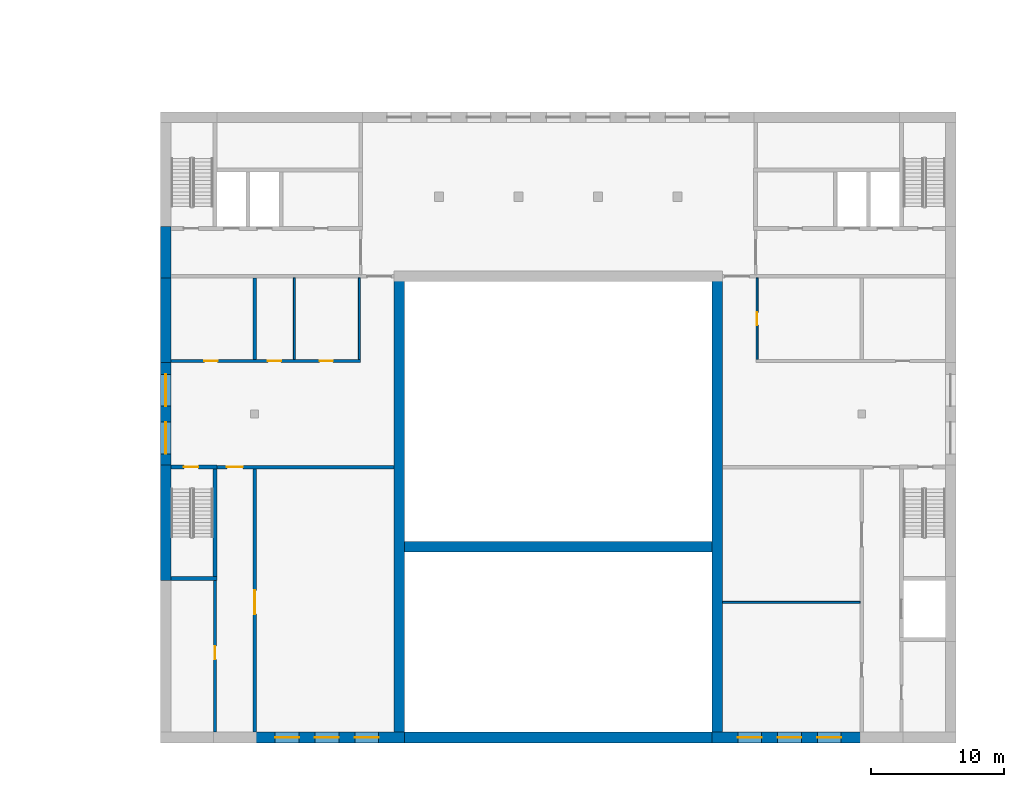
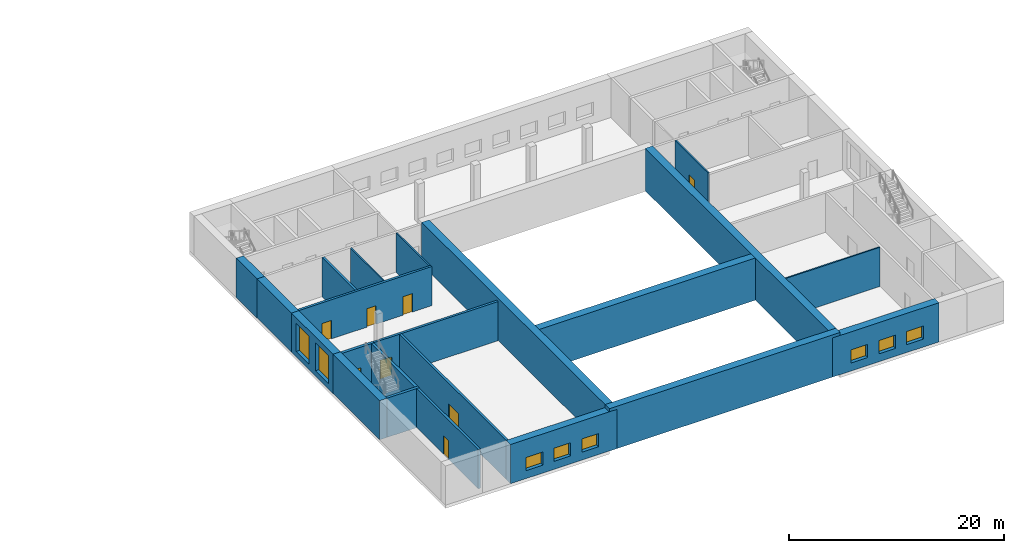
# One storey, part 3 of 23: 22 walls, 8 doors, 8 windows, 16 openings.
"""IFC4 building model written with IfcOpenShell, lengths in metres."""

import ifcopenshell
import ifcopenshell.guid

model = None  # the IFC model being written
_history = None  # IfcOwnerHistory: only IFC2X3 demands one
_inside = {}  # id of a spatial element -> (the spatial element, [elements in it])
_under = {}  # id of a project, library or spatial element -> (it, [spatial elements below it])
_declared = {}  # id of a project -> (the project, [libraries it declares])
_typed = {}  # id of a type object -> (the type object, [elements of that type])
_made_of = {}  # id of a material, layer set ... -> (it, [elements and type objects made of it])


def new_model(schema):
    """Start an empty IFC model of exactly this schema.

    Asked for "IFC4X3", IfcOpenShell would pick the latest addendum, in which some entities
    have other attributes; the version numbers below select the first issue.
    IFC2X3 requires an IfcOwnerHistory on every rooted entity: one is made here for all.
    """
    global model, _history
    if schema == "IFC4X3":
        model = ifcopenshell.file(schema_version=(4, 3, 0, 0))
    else:
        model = ifcopenshell.file(schema=schema)
    _inside.clear()
    _under.clear()
    _declared.clear()
    _typed.clear()
    _made_of.clear()
    _history = None
    if model.schema == "IFC2X3":
        org = make("IfcOrganization", Name="unknown")
        user = make(
            "IfcPersonAndOrganization",
            ThePerson=make("IfcPerson", FamilyName="unknown"),
            TheOrganization=org,
        )
        app = make(
            "IfcApplication",
            ApplicationDeveloper=org,
            Version="unknown",
            ApplicationFullName="unknown",
            ApplicationIdentifier="unknown",
        )
        _history = make(
            "IfcOwnerHistory",
            OwningUser=user,
            OwningApplication=app,
            ChangeAction="ADDED",
            CreationDate=0,
        )
    return model


def make(cls, **values):
    """One entity of the class cls with the attributes given. An attribute that is None is left unset."""
    return model.create_entity(
        cls, **{name: value for name, value in values.items() if value is not None}
    )


def rooted(cls, **values):
    """An entity with a GlobalId (a new one), such as an element, a storey or a relation."""
    return make(cls, GlobalId=ifcopenshell.guid.new(), OwnerHistory=_history, **values)


def si_unit(unit_type, name, prefix=None):
    """IfcSIUnit, for example si_unit("LENGTHUNIT", "METRE", prefix="MILLI")."""
    return make("IfcSIUnit", UnitType=unit_type, Prefix=prefix, Name=name)


def assignment(units):
    """IfcUnitAssignment: the units of a project."""
    return None if units is None else make("IfcUnitAssignment", Units=units)


def point(xyz):
    """IfcCartesianPoint."""
    return None if xyz is None else make("IfcCartesianPoint", Coordinates=xyz)


def direction(xyz):
    """IfcDirection."""
    return None if xyz is None else make("IfcDirection", DirectionRatios=xyz)


def frame(location, z_axis=None, x_axis=None):
    """IfcAxis2Placement3D, a coordinate frame: its origin and axes. An axis left out is left unset."""
    return make(
        "IfcAxis2Placement3D",
        Location=point(location),
        Axis=direction(z_axis),
        RefDirection=direction(x_axis),
    )


def frame_2d(location, x_axis=None):
    """IfcAxis2Placement2D, a coordinate frame in the plane: its origin and x axis."""
    return make(
        "IfcAxis2Placement2D", Location=point(location), RefDirection=direction(x_axis)
    )


def origin():
    """The frame at (0, 0, 0) with its axes left unset."""
    return frame((0.0, 0.0, 0.0))


def place(relative_to, where):
    """IfcLocalPlacement: puts the frame where relative to a parent placement (None: the world)."""
    return make(
        "IfcLocalPlacement", PlacementRelTo=relative_to, RelativePlacement=where
    )


def context(
    kind, dimensions, precision=None, world=None, true_north=None, identifier=None
):
    """IfcGeometricRepresentationContext, for example the 3D "Model" context."""
    return make(
        "IfcGeometricRepresentationContext",
        ContextIdentifier=identifier,
        ContextType=kind,
        CoordinateSpaceDimension=dimensions,
        Precision=precision,
        WorldCoordinateSystem=world,
        TrueNorth=true_north,
    )


def subcontext(parent, identifier, kind, view, scale=None):
    """IfcGeometricRepresentationSubContext, for example "Body" below "Model"."""
    return make(
        "IfcGeometricRepresentationSubContext",
        ContextIdentifier=identifier,
        ContextType=kind,
        ParentContext=parent,
        TargetScale=scale,
        TargetView=view,
    )


def project(units=None, contexts=None):
    """IfcProject with its units and contexts."""
    return rooted(
        "IfcProject",
        Name="project",
        RepresentationContexts=contexts,
        UnitsInContext=assignment(units),
    )


def spatial(cls, under=None, at=None, **own):
    """A site, building, storey or space (cls), placed at a placement, below another one or the project."""
    s = rooted(cls, ObjectPlacement=at, **own)
    if under is not None:
        _under.setdefault(under.id(), (under, []))[1].append(s)
    return s


def profile(cls, at=None, kind="AREA", **sizes):
    """A parametric profile (cls). Its sizes go by their IFC names, for example OverallWidth=200.0."""
    return make(cls, ProfileType=kind, Position=at, **sizes)


def rectangle(**sizes):
    """IfcRectangleProfileDef."""
    return profile("IfcRectangleProfileDef", **sizes)


def extrude(swept, where, along, depth):
    """IfcExtrudedAreaSolid: the profile swept, set in the frame where, extruded along a direction by depth."""
    return make(
        "IfcExtrudedAreaSolid",
        SweptArea=swept,
        Position=where,
        ExtrudedDirection=direction(along),
        Depth=depth,
    )


def shape(context_of_items, identifier, shape_type, items):
    """IfcShapeRepresentation: the items that make up one representation, for example the "Body"."""
    return make(
        "IfcShapeRepresentation",
        ContextOfItems=context_of_items,
        RepresentationIdentifier=identifier,
        RepresentationType=shape_type,
        Items=items,
    )


def material(Name=None, Category=None):
    """IfcMaterial."""
    return make("IfcMaterial", Name=Name, Category=Category)


def layer(
    of_material, thickness, ventilated=None, Name=None, Category=None, Priority=None
):
    """IfcMaterialLayer: one layer of a wall or slab, of a material (None: an air gap)."""
    return make(
        "IfcMaterialLayer",
        Material=of_material,
        LayerThickness=thickness,
        IsVentilated=ventilated,
        Name=Name,
        Category=Category,
        Priority=Priority,
    )


def layer_set(layers, Name=None):
    """IfcMaterialLayerSet."""
    return make("IfcMaterialLayerSet", MaterialLayers=layers, LayerSetName=Name)


def made_of(thing, what):
    """Note that an element or type object is made of a material, layer set ...; save() writes the relation."""
    if what is not None:
        _made_of.setdefault(what.id(), (what, []))[1].append(thing)
    return thing


def type_object(cls, material=None, **own):
    """A type object (cls), such as IfcWallType, which elements share."""
    return made_of(rooted(cls, **own), material)


def element(
    cls,
    number,
    at=None,
    inside=None,
    cuts=None,
    type_object=None,
    material=None,
    context=None,
    identifier="Body",
    shape_type=None,
    held_by="IfcProductDefinitionShape",
    body=None,
    shapes=None,
    **own,
):
    """One element of the class cls, such as IfcWall. Its Tag is "e" and its number.

    at: its placement. inside: the storey or other place that contains it. cuts: it is an
    opening in that element (IfcRelVoidsElement). A single representation is given by context,
    identifier, shape_type and body (its items); several are given by shapes. held_by: the class
    of the entity that holds the representations. save() writes the other relations.
    """
    e = rooted(cls, Tag="e%d" % number, ObjectPlacement=at, **own)
    if body is not None:
        shapes = [shape(context, identifier, shape_type, body)]
    if shapes is not None:
        e.Representation = make(held_by, Representations=shapes)
    if inside is not None:
        _inside.setdefault(inside.id(), (inside, []))[1].append(e)
    if cuts is not None:
        rooted(
            "IfcRelVoidsElement", RelatingBuildingElement=cuts, RelatedOpeningElement=e
        )
    if type_object is not None:
        _typed.setdefault(type_object.id(), (type_object, []))[1].append(e)
    return made_of(e, material)


def fill(opening, filler):
    """IfcRelFillsElement: the door or window that sits in an opening."""
    return rooted(
        "IfcRelFillsElement",
        RelatingOpeningElement=opening,
        RelatedBuildingElement=filler,
    )


def aggregate(whole, parts):
    """IfcRelAggregates: a whole, such as a stair, and the parts it consists of."""
    return rooted("IfcRelAggregates", RelatingObject=whole, RelatedObjects=parts)


def save(model, path):
    """Write the relations noted so far, then the file.

    IfcRelAggregates (storeys below a building ...), IfcRelContainedInSpatialStructure (elements
    in a storey), IfcRelDefinesByType, IfcRelAssociatesMaterial and IfcRelDeclares: one each for
    every whole, place, type object, material and project.
    """
    for whole, parts in _under.values():
        aggregate(whole, parts)
    for where, things in _inside.values():
        rooted(
            "IfcRelContainedInSpatialStructure",
            RelatedElements=things,
            RelatingStructure=where,
        )
    for kind, things in _typed.values():
        rooted("IfcRelDefinesByType", RelatedObjects=things, RelatingType=kind)
    for what, things in _made_of.values():
        rooted("IfcRelAssociatesMaterial", RelatedObjects=things, RelatingMaterial=what)
    for by, libraries in _declared.values():
        rooted("IfcRelDeclares", RelatingContext=by, RelatedDefinitions=libraries)
    model.write(path)


model = new_model("IFC4")

# Units and contexts
model_context = context("Model", 3, precision=1e-05, world=origin(), true_north=direction((0.0, 1.0)))
body_context = subcontext(model_context, "Body", "Model", "MODEL_VIEW")
ifc_project = project(units=[si_unit("LENGTHUNIT", "METRE"), si_unit("AREAUNIT", "SQUARE_METRE"), si_unit("VOLUMEUNIT", "CUBIC_METRE"), si_unit("PLANEANGLEUNIT", "RADIAN"), si_unit("MASSUNIT", "GRAM", prefix="KILO")], contexts=[model_context])

# Site, building, storey
site_placement = place(None, origin())
site = spatial("IfcSite", under=ifc_project, at=site_placement, CompositionType="ELEMENT")
building_placement = place(site_placement, origin())
building = spatial("IfcBuilding", under=site, at=building_placement, Name="Kiln Ring Residences", CompositionType="ELEMENT")
storey_placement = place(building_placement, frame((0.0, 0.0, 16.10009765625)))
storey = spatial("IfcBuildingStorey", under=building, at=storey_placement, Name="L03", CompositionType="ELEMENT", Elevation=16.10009765625)

# Walls
ifc_material_1 = material(Name="Concrete C40/50", Category="concrete")
ifc_layer_1 = layer(ifc_material_1, 0.800048828125)
ifc_layer_set_1 = layer_set([ifc_layer_1], Name="Hall Board-marked concrete C40/50 hall wall 800")
wall_type_1 = type_object("IfcWallType", Name="Hall Board-marked concrete C40/50 hall wall 800", PredefinedType="SOLIDWALL", material=ifc_layer_set_1)
wall_1_placement = place(storey_placement, frame((-12.39990234375, -159.60009765625, 0.0), z_axis=(0.0, 0.0, 1.0), x_axis=(1.0, 0.0, 0.0)))
element("IfcWall", 1, at=wall_1_placement, inside=storey, type_object=wall_type_1, Name="Hall wall L03 4", PredefinedType="SOLIDWALL", context=body_context, shape_type="SweptSolid", body=[
    extrude(rectangle(XDim=24.7998046875, YDim=0.800048828125, at=frame_2d((12.39990234375, 0.0))), origin(), (0.0, 0.0, 1.0), 4.7998046875),
])
ifc_material_2 = material(Name="Concrete C40/50", Category="concrete")
ifc_layer_2 = layer(ifc_material_2, 0.800048828125)
ifc_layer_set_2 = layer_set([ifc_layer_2], Name="Hall Board-marked concrete C40/50 hall wall 800 internal")
wall_type_2 = type_object("IfcWallType", Name="Hall Board-marked concrete C40/50 hall wall 800 internal", PredefinedType="SOLIDWALL", material=ifc_layer_set_2)
wall_2_placement = place(storey_placement, frame((-11.60009765625, -145.199951171875, 0.0), z_axis=(0.0, 0.0, 1.0), x_axis=(1.0, 0.0, 0.0)))
element("IfcWall", 2, at=wall_2_placement, inside=storey, type_object=wall_type_2, Name="Hall wall L03 12", PredefinedType="SOLIDWALL", context=body_context, shape_type="SweptSolid", body=[
    extrude(rectangle(XDim=23.2001953125, YDim=0.800048828125, at=frame_2d((11.60009765625, 0.0))), origin(), (0.0, 0.0, 1.0), 4.7998046875),
])
for number, where, z_axis, x_axis, name in (
    (3, (-12.0, -159.199951171875, 0.0), (0.0, 0.0, 1.0), (0.0, 1.0, 0.0), "Hall wall L03 49"),
    (4, (12.0, -159.199951171875, 0.0), (0.0, 0.0, 1.0), (0.0, 1.0, 0.0), "Hall wall L03 50"),
):
    element("IfcWall", number, at=place(storey_placement, frame(where, z_axis=z_axis, x_axis=x_axis)), inside=storey, type_object=wall_type_2, Name=name, PredefinedType="SOLIDWALL", context=body_context, shape_type="SweptSolid", body=[
        extrude(rectangle(XDim=34.125, YDim=0.800048828125, at=frame_2d((17.0625, 0.0))), origin(), (0.0, 0.0, 1.0), 4.7998046875),
    ])

# Wall, openings, windows
ifc_material_3 = material(Name="Concrete C40/50", Category="concrete")
ifc_layer_3 = layer(ifc_material_3, 0.800048828125)
ifc_layer_set_3 = layer_set([ifc_layer_3], Name="Hall Exposed brick-faced reinforced concrete C40/50 wall 800")
wall_type_3 = type_object("IfcWallType", Name="Hall Exposed brick-faced reinforced concrete C40/50 wall 800", PredefinedType="SOLIDWALL", material=ifc_layer_set_3)
wall_3_placement = place(storey_placement, frame((-23.02490234375, -159.60009765625, 0.0), z_axis=(0.0, 0.0, 1.0), x_axis=(1.0, 0.0, 0.0)))
wall_3 = element("IfcWall", 5, at=wall_3_placement, inside=storey, type_object=wall_type_3, Name="Hall wall L03 3", PredefinedType="SOLIDWALL", context=body_context, shape_type="SweptSolid", body=[
    extrude(rectangle(XDim=11.4248046875, YDim=0.800048828125, at=frame_2d((5.71240234375, 0.0))), origin(), (0.0, 0.0, 1.0), 4.449951171875),
])
opening_1_placement = place(wall_3_placement, frame((1.6748046875, 0.0, 0.89990234375)))
opening_1 = element("IfcOpeningElement", 6, at=opening_1_placement, cuts=wall_3, Name="Opening WL03-14", PredefinedType="OPENING", context=body_context, shape_type="SweptSolid", body=[
    extrude(rectangle(XDim=1.800048828125, YDim=1.5, at=frame_2d((0.89990234375, 0.75))), frame((0.0, 0.409912109375, 0.0), z_axis=(0.0, -1.0, 0.0), x_axis=(1.0, 0.0, 0.0)), (0.0, 0.0, 1.0), 0.820068359375),
])
opening_2_placement = place(wall_3_placement, frame((4.6748046875, 0.0, 0.89990234375)))
opening_2 = element("IfcOpeningElement", 7, at=opening_2_placement, cuts=wall_3, Name="Opening WL03-15", PredefinedType="OPENING", context=body_context, shape_type="SweptSolid", body=[
    extrude(rectangle(XDim=1.800048828125, YDim=1.5, at=frame_2d((0.89990234375, 0.75))), frame((0.0, 0.409912109375, 0.0), z_axis=(0.0, -1.0, 0.0), x_axis=(1.0, 0.0, 0.0)), (0.0, 0.0, 1.0), 0.820068359375),
])
opening_3_placement = place(wall_3_placement, frame((7.6748046875, 0.0, 0.89990234375)))
opening_3 = element("IfcOpeningElement", 8, at=opening_3_placement, cuts=wall_3, Name="Opening WL03-16", PredefinedType="OPENING", context=body_context, shape_type="SweptSolid", body=[
    extrude(rectangle(XDim=1.800048828125, YDim=1.5, at=frame_2d((0.89990234375, 0.75))), frame((0.0, 0.409912109375, 0.0), z_axis=(0.0, -1.0, 0.0), x_axis=(1.0, 0.0, 0.0)), (0.0, 0.0, 1.0), 0.820068359375),
])
ifc_material_4 = material(Name="Glazing in aluminium frame", Category="aluminium")
window_type_1 = type_object("IfcWindowType", Name="Hall room window 1800 x 1500", PartitioningType="DOUBLE_PANEL_VERTICAL", PredefinedType="WINDOW", material=ifc_material_4)
window_1_placement = place(opening_1_placement, origin())
window_1 = element("IfcWindow", 9, at=window_1_placement, inside=storey, type_object=window_type_1, Name="Hall window L03-14", OverallHeight=1.5, OverallWidth=1.800048828125, PartitioningType="SINGLE_PANEL", PredefinedType="WINDOW", context=body_context, shape_type="SweptSolid", body=[
    extrude(rectangle(XDim=1.800048828125, YDim=1.5, at=frame_2d((0.89990234375, 0.75))), frame((0.0, 0.030029296875, 0.0), z_axis=(0.0, -1.0, 0.0), x_axis=(1.0, 0.0, 0.0)), (0.0, 0.0, 1.0), 0.06005859375),
])
fill(opening_1, window_1)
window_2_placement = place(opening_2_placement, origin())
window_2 = element("IfcWindow", 10, at=window_2_placement, inside=storey, type_object=window_type_1, Name="Hall window L03-15", OverallHeight=1.5, OverallWidth=1.800048828125, PartitioningType="SINGLE_PANEL", PredefinedType="WINDOW", context=body_context, shape_type="SweptSolid", body=[
    extrude(rectangle(XDim=1.800048828125, YDim=1.5, at=frame_2d((0.89990234375, 0.75))), frame((0.0, 0.030029296875, 0.0), z_axis=(0.0, -1.0, 0.0), x_axis=(1.0, 0.0, 0.0)), (0.0, 0.0, 1.0), 0.06005859375),
])
fill(opening_2, window_2)
window_3_placement = place(opening_3_placement, origin())
window_3 = element("IfcWindow", 11, at=window_3_placement, inside=storey, type_object=window_type_1, Name="Hall window L03-16", OverallHeight=1.5, OverallWidth=1.800048828125, PartitioningType="SINGLE_PANEL", PredefinedType="WINDOW", context=body_context, shape_type="SweptSolid", body=[
    extrude(rectangle(XDim=1.800048828125, YDim=1.5, at=frame_2d((0.89990234375, 0.75))), frame((0.0, 0.030029296875, 0.0), z_axis=(0.0, -1.0, 0.0), x_axis=(1.0, 0.0, 0.0)), (0.0, 0.0, 1.0), 0.06005859375),
])
fill(opening_3, window_3)

wall_4_placement = place(storey_placement, frame((11.60009765625, -159.60009765625, 0.0), z_axis=(0.0, 0.0, 1.0), x_axis=(1.0, 0.0, 0.0)))
wall_4 = element("IfcWall", 12, at=wall_4_placement, inside=storey, type_object=wall_type_3, Name="Hall wall L03 5", PredefinedType="SOLIDWALL", context=body_context, shape_type="SweptSolid", body=[
    extrude(rectangle(XDim=11.4248046875, YDim=0.800048828125, at=frame_2d((5.71240234375, 0.0))), origin(), (0.0, 0.0, 1.0), 4.449951171875),
])
opening_4_placement = place(wall_4_placement, frame((1.949951171875, 0.0, 0.89990234375)))
opening_4 = element("IfcOpeningElement", 13, at=opening_4_placement, cuts=wall_4, Name="Opening WL03-17", PredefinedType="OPENING", context=body_context, shape_type="SweptSolid", body=[
    extrude(rectangle(XDim=1.800048828125, YDim=1.5, at=frame_2d((0.89990234375, 0.75))), frame((0.0, 0.409912109375, 0.0), z_axis=(0.0, -1.0, 0.0), x_axis=(1.0, 0.0, 0.0)), (0.0, 0.0, 1.0), 0.820068359375),
])
opening_5_placement = place(wall_4_placement, frame((4.949951171875, 0.0, 0.89990234375)))
opening_5 = element("IfcOpeningElement", 14, at=opening_5_placement, cuts=wall_4, Name="Opening WL03-18", PredefinedType="OPENING", context=body_context, shape_type="SweptSolid", body=[
    extrude(rectangle(XDim=1.800048828125, YDim=1.5, at=frame_2d((0.89990234375, 0.75))), frame((0.0, 0.409912109375, 0.0), z_axis=(0.0, -1.0, 0.0), x_axis=(1.0, 0.0, 0.0)), (0.0, 0.0, 1.0), 0.820068359375),
])
opening_6_placement = place(wall_4_placement, frame((7.949951171875, 0.0, 0.89990234375)))
opening_6 = element("IfcOpeningElement", 15, at=opening_6_placement, cuts=wall_4, Name="Opening WL03-19", PredefinedType="OPENING", context=body_context, shape_type="SweptSolid", body=[
    extrude(rectangle(XDim=1.800048828125, YDim=1.5, at=frame_2d((0.89990234375, 0.75))), frame((0.0, 0.409912109375, 0.0), z_axis=(0.0, -1.0, 0.0), x_axis=(1.0, 0.0, 0.0)), (0.0, 0.0, 1.0), 0.820068359375),
])
window_4_placement = place(opening_4_placement, origin())
window_4 = element("IfcWindow", 16, at=window_4_placement, inside=storey, type_object=window_type_1, Name="Hall window L03-17", OverallHeight=1.5, OverallWidth=1.800048828125, PartitioningType="SINGLE_PANEL", PredefinedType="WINDOW", context=body_context, shape_type="SweptSolid", body=[
    extrude(rectangle(XDim=1.800048828125, YDim=1.5, at=frame_2d((0.89990234375, 0.75))), frame((0.0, 0.030029296875, 0.0), z_axis=(0.0, -1.0, 0.0), x_axis=(1.0, 0.0, 0.0)), (0.0, 0.0, 1.0), 0.06005859375),
])
fill(opening_4, window_4)
window_5_placement = place(opening_5_placement, origin())
window_5 = element("IfcWindow", 17, at=window_5_placement, inside=storey, type_object=window_type_1, Name="Hall window L03-18", OverallHeight=1.5, OverallWidth=1.800048828125, PartitioningType="SINGLE_PANEL", PredefinedType="WINDOW", context=body_context, shape_type="SweptSolid", body=[
    extrude(rectangle(XDim=1.800048828125, YDim=1.5, at=frame_2d((0.89990234375, 0.75))), frame((0.0, 0.030029296875, 0.0), z_axis=(0.0, -1.0, 0.0), x_axis=(1.0, 0.0, 0.0)), (0.0, 0.0, 1.0), 0.06005859375),
])
fill(opening_5, window_5)
window_6_placement = place(opening_6_placement, origin())
window_6 = element("IfcWindow", 18, at=window_6_placement, inside=storey, type_object=window_type_1, Name="Hall window L03-19", OverallHeight=1.5, OverallWidth=1.800048828125, PartitioningType="SINGLE_PANEL", PredefinedType="WINDOW", context=body_context, shape_type="SweptSolid", body=[
    extrude(rectangle(XDim=1.800048828125, YDim=1.5, at=frame_2d((0.89990234375, 0.75))), frame((0.0, 0.030029296875, 0.0), z_axis=(0.0, -1.0, 0.0), x_axis=(1.0, 0.0, 0.0)), (0.0, 0.0, 1.0), 0.06005859375),
])
fill(opening_6, window_6)

# Wall
wall_5_placement = place(storey_placement, frame((-29.60009765625, -147.75, 0.0), z_axis=(0.0, 0.0, 1.0), x_axis=(0.0, 1.0, 0.0)))
element("IfcWall", 19, at=wall_5_placement, inside=storey, type_object=wall_type_3, Name="Hall wall L03 32", PredefinedType="SOLIDWALL", context=body_context, shape_type="SweptSolid", body=[
    extrude(rectangle(XDim=8.699951171875, YDim=0.800048828125, at=frame_2d((4.35009765625, 0.0))), origin(), (0.0, 0.0, 1.0), 4.449951171875),
])

# Wall, openings, windows
wall_6_placement = place(storey_placement, frame((-29.60009765625, -139.349853515625, 0.0), z_axis=(0.0, 0.0, 1.0), x_axis=(0.0, 1.0, 0.0)))
wall_6 = element("IfcWall", 20, at=wall_6_placement, inside=storey, type_object=wall_type_3, Name="Hall wall L03 33", PredefinedType="SOLIDWALL", context=body_context, shape_type="SweptSolid", body=[
    extrude(rectangle(XDim=8.274658203125, YDim=0.800048828125, at=frame_2d((4.13720703125, 0.0))), origin(), (0.0, 0.0, 1.0), 4.449951171875),
])
opening_7_placement = place(wall_6_placement, frame((1.14990234375, 0.0, 0.60009765625)))
opening_7 = element("IfcOpeningElement", 21, at=opening_7_placement, cuts=wall_6, Name="Opening WL03-10", PredefinedType="OPENING", context=body_context, shape_type="SweptSolid", body=[
    extrude(rectangle(XDim=2.39990234375, YDim=3.199951171875, at=frame_2d((1.199951171875, 1.60009765625))), frame((0.0, 0.409912109375, 0.0), z_axis=(0.0, -1.0, 0.0), x_axis=(1.0, 0.0, 0.0)), (0.0, 0.0, 1.0), 0.820068359375),
])
opening_8_placement = place(wall_6_placement, frame((4.75, 0.0, 0.60009765625)))
opening_8 = element("IfcOpeningElement", 22, at=opening_8_placement, cuts=wall_6, Name="Opening WL03-11", PredefinedType="OPENING", context=body_context, shape_type="SweptSolid", body=[
    extrude(rectangle(XDim=2.39990234375, YDim=3.199951171875, at=frame_2d((1.199951171875, 1.60009765625))), frame((0.0, 0.409912109375, 0.0), z_axis=(0.0, -1.0, 0.0), x_axis=(1.0, 0.0, 0.0)), (0.0, 0.0, 1.0), 0.820068359375),
])
ifc_material_5 = material(Name="Glazing in aluminium frame", Category="aluminium")
window_type_2 = type_object("IfcWindowType", Name="Hall foyer window 2400 x 3200", PartitioningType="SINGLE_PANEL", PredefinedType="WINDOW", material=ifc_material_5)
window_7_placement = place(opening_7_placement, origin())
window_7 = element("IfcWindow", 23, at=window_7_placement, inside=storey, type_object=window_type_2, Name="Hall window L03-10", OverallHeight=3.199951171875, OverallWidth=2.39990234375, PartitioningType="SINGLE_PANEL", PredefinedType="WINDOW", context=body_context, shape_type="SweptSolid", body=[
    extrude(rectangle(XDim=2.39990234375, YDim=3.199951171875, at=frame_2d((1.199951171875, 1.60009765625))), frame((0.0, 0.030029296875, 0.0), z_axis=(0.0, -1.0, 0.0), x_axis=(1.0, 0.0, 0.0)), (0.0, 0.0, 1.0), 0.06005859375),
])
fill(opening_7, window_7)
window_8_placement = place(opening_8_placement, origin())
window_8 = element("IfcWindow", 24, at=window_8_placement, inside=storey, type_object=window_type_2, Name="Hall window L03-11", OverallHeight=3.199951171875, OverallWidth=2.39990234375, PartitioningType="SINGLE_PANEL", PredefinedType="WINDOW", context=body_context, shape_type="SweptSolid", body=[
    extrude(rectangle(XDim=2.39990234375, YDim=3.199951171875, at=frame_2d((1.199951171875, 1.60009765625))), frame((0.0, 0.030029296875, 0.0), z_axis=(0.0, -1.0, 0.0), x_axis=(1.0, 0.0, 0.0)), (0.0, 0.0, 1.0), 0.06005859375),
])
fill(opening_8, window_8)

# Walls
wall_7_placement = place(storey_placement, frame((-29.60009765625, -131.324951171875, 0.0), z_axis=(0.0, 0.0, 1.0), x_axis=(0.0, 1.0, 0.0)))
element("IfcWall", 25, at=wall_7_placement, inside=storey, type_object=wall_type_3, Name="Hall wall L03 34", PredefinedType="SOLIDWALL", context=body_context, shape_type="SweptSolid", body=[
    extrude(rectangle(XDim=6.64990234375, YDim=0.800048828125, at=frame_2d((3.324951171875, 0.0))), origin(), (0.0, 0.0, 1.0), 4.449951171875),
])
wall_8_placement = place(storey_placement, frame((-29.60009765625, -124.9248046875, 0.0), z_axis=(0.0, 0.0, 1.0), x_axis=(0.0, 1.0, 0.0)))
element("IfcWall", 26, at=wall_8_placement, inside=storey, type_object=wall_type_3, Name="Hall wall L03 35", PredefinedType="SOLIDWALL", context=body_context, shape_type="SweptSolid", body=[
    extrude(rectangle(XDim=3.874755859375, YDim=0.800048828125, at=frame_2d((1.9375, 0.0))), origin(), (0.0, 0.0, 1.0), 4.449951171875),
])
ifc_material_6 = material(Name="Concrete C40/50", Category="concrete")
ifc_layer_4 = layer(ifc_material_6, 0.300048828125)
ifc_layer_set_4 = layer_set([ifc_layer_4], Name="Hall Reinforced concrete C40/50 core wall 300")
wall_type_4 = type_object("IfcWallType", Name="Hall Reinforced concrete C40/50 core wall 300", PredefinedType="SOLIDWALL", material=ifc_layer_set_4)
wall_9_placement = place(storey_placement, frame((-29.199951171875, -147.60009765625, 0.0), z_axis=(0.0, 0.0, 1.0), x_axis=(1.0, 0.0, 0.0)))
element("IfcWall", 27, at=wall_9_placement, inside=storey, type_object=wall_type_4, Name="Hall wall L03 10", PredefinedType="SOLIDWALL", context=body_context, shape_type="SweptSolid", body=[
    extrude(rectangle(XDim=3.449951171875, YDim=0.300048828125, at=frame_2d((1.72509765625, 0.0))), origin(), (0.0, 0.0, 1.0), 4.449951171875),
])

# Wall, opening, door
wall_10_placement = place(storey_placement, frame((-29.199951171875, -139.199951171875, 0.0), z_axis=(0.0, 0.0, 1.0), x_axis=(1.0, 0.0, 0.0)))
wall_10 = element("IfcWall", 28, at=wall_10_placement, inside=storey, type_object=wall_type_4, Name="Hall wall L03 13", PredefinedType="SOLIDWALL", context=body_context, shape_type="SweptSolid", body=[
    extrude(rectangle(XDim=3.449951171875, YDim=0.300048828125, at=frame_2d((1.72509765625, 0.0))), origin(), (0.0, 0.0, 1.0), 4.449951171875),
])
opening_9_placement = place(wall_10_placement, frame((0.949951171875, 0.0, 0.0)))
opening_9 = element("IfcOpeningElement", 29, at=opening_9_placement, cuts=wall_10, Name="Opening L03-08", PredefinedType="OPENING", context=body_context, shape_type="SweptSolid", body=[
    extrude(rectangle(XDim=1.10009765625, YDim=2.10009765625, at=frame_2d((0.550048828125, 1.050048828125))), frame((0.0, 0.159912109375, 0.0), z_axis=(0.0, -1.0, 0.0), x_axis=(1.0, 0.0, 0.0)), (0.0, 0.0, 1.0), 0.320068359375),
])
ifc_material_7 = material(Name="Steel door leaf", Category="steel")
door_type_1 = type_object("IfcDoorType", Name="Hall Stair door 1100 x 2100", OperationType="SINGLE_SWING_LEFT", PredefinedType="DOOR", material=ifc_material_7)
door_1_placement = place(opening_9_placement, origin())
door_1 = element("IfcDoor", 30, at=door_1_placement, inside=storey, type_object=door_type_1, Name="Hall door L03-08", OperationType="SINGLE_SWING_RIGHT", OverallHeight=2.10009765625, OverallWidth=1.10009765625, PredefinedType="DOOR", context=body_context, shape_type="SweptSolid", body=[
    extrude(rectangle(XDim=1.10009765625, YDim=2.10009765625, at=frame_2d((0.550048828125, 1.050048828125))), frame((0.0, 0.02490234375, 0.0), z_axis=(0.0, -1.0, 0.0), x_axis=(1.0, 0.0, 0.0)), (0.0, 0.0, 1.0), 0.050048828125),
])
fill(opening_9, door_1)

# Wall
wall_11_placement = place(storey_placement, frame((-25.89990234375, -147.449951171875, 0.0), z_axis=(0.0, 0.0, 1.0), x_axis=(0.0, 1.0, 0.0)))
element("IfcWall", 31, at=wall_11_placement, inside=storey, type_object=wall_type_4, Name="Hall wall L03 38", PredefinedType="SOLIDWALL", context=body_context, shape_type="SweptSolid", body=[
    extrude(rectangle(XDim=8.224853515625, YDim=0.300048828125, at=frame_2d((4.1123046875, 0.0))), origin(), (0.0, 0.0, 1.0), 4.449951171875),
])

# Wall, opening, door
ifc_material_8 = material(Name="Concrete C40/50", Category="concrete")
ifc_layer_5 = layer(ifc_material_8, 0.25)
ifc_layer_set_5 = layer_set([ifc_layer_5], Name="Hall Reinforced concrete C40/50 wall 250")
wall_type_5 = type_object("IfcWallType", Name="Hall Reinforced concrete C40/50 wall 250", PredefinedType="SOLIDWALL", material=ifc_layer_set_5)
wall_12_placement = place(storey_placement, frame((-25.75, -139.199951171875, 0.0), z_axis=(0.0, 0.0, 1.0), x_axis=(1.0, 0.0, 0.0)))
wall_12 = element("IfcWall", 32, at=wall_12_placement, inside=storey, type_object=wall_type_5, Name="Hall wall L03 14", PredefinedType="SOLIDWALL", context=body_context, shape_type="SweptSolid", body=[
    extrude(rectangle(XDim=13.35009765625, YDim=0.25, at=frame_2d((6.675048828125, 0.0))), origin(), (0.0, 0.0, 1.0), 4.449951171875),
])
opening_10_placement = place(wall_12_placement, frame((0.75, 0.0, 0.0)))
opening_10 = element("IfcOpeningElement", 33, at=opening_10_placement, cuts=wall_12, Name="Opening L03-19", PredefinedType="OPENING", context=body_context, shape_type="SweptSolid", body=[
    extrude(rectangle(XDim=1.199951171875, YDim=2.10009765625, at=frame_2d((0.60009765625, 1.050048828125))), frame((0.0, 0.135009765625, 0.0), z_axis=(0.0, -1.0, 0.0), x_axis=(1.0, 0.0, 0.0)), (0.0, 0.0, 1.0), 0.27001953125),
])
ifc_material_9 = material(Name="Steel door leaf", Category="steel")
door_type_2 = type_object("IfcDoorType", Name="Hall Single door 1200 x 2100", OperationType="SINGLE_SWING_LEFT", PredefinedType="DOOR", material=ifc_material_9)
door_2_placement = place(opening_10_placement, origin())
door_2 = element("IfcDoor", 34, at=door_2_placement, inside=storey, type_object=door_type_2, Name="Hall door L03-19", OperationType="SINGLE_SWING_LEFT", OverallHeight=2.10009765625, OverallWidth=1.199951171875, PredefinedType="DOOR", context=body_context, shape_type="SweptSolid", body=[
    extrude(rectangle(XDim=1.199951171875, YDim=2.10009765625, at=frame_2d((0.60009765625, 1.050048828125))), frame((0.0, 0.02490234375, 0.0), z_axis=(0.0, -1.0, 0.0), x_axis=(1.0, 0.0, 0.0)), (0.0, 0.0, 1.0), 0.050048828125),
])
fill(opening_10, door_2)

# Wall, openings, doors
wall_13_placement = place(storey_placement, frame((-29.199951171875, -131.199951171875, 0.0), z_axis=(0.0, 0.0, 1.0), x_axis=(1.0, 0.0, 0.0)))
wall_13 = element("IfcWall", 35, at=wall_13_placement, inside=storey, type_object=wall_type_5, Name="Hall wall L03 17", PredefinedType="SOLIDWALL", context=body_context, shape_type="SweptSolid", body=[
    extrude(rectangle(XDim=14.27490234375, YDim=0.25, at=frame_2d((7.137451171875, 0.0))), origin(), (0.0, 0.0, 1.0), 4.449951171875),
])
opening_11_placement = place(wall_13_placement, frame((2.5, 0.0, 0.0)))
opening_11 = element("IfcOpeningElement", 36, at=opening_11_placement, cuts=wall_13, Name="Opening L03-16", PredefinedType="OPENING", context=body_context, shape_type="SweptSolid", body=[
    extrude(rectangle(XDim=1.0, YDim=2.10009765625, at=frame_2d((0.5, 1.050048828125))), frame((0.0, 0.135009765625, 0.0), z_axis=(0.0, -1.0, 0.0), x_axis=(1.0, 0.0, 0.0)), (0.0, 0.0, 1.0), 0.27001953125),
])
opening_12_placement = place(wall_13_placement, frame((7.300048828125, 0.0, 0.0)))
opening_12 = element("IfcOpeningElement", 37, at=opening_12_placement, cuts=wall_13, Name="Opening L03-17", PredefinedType="OPENING", context=body_context, shape_type="SweptSolid", body=[
    extrude(rectangle(XDim=1.0, YDim=2.10009765625, at=frame_2d((0.5, 1.050048828125))), frame((0.0, 0.135009765625, 0.0), z_axis=(0.0, -1.0, 0.0), x_axis=(1.0, 0.0, 0.0)), (0.0, 0.0, 1.0), 0.27001953125),
])
opening_13_placement = place(wall_13_placement, frame((11.199951171875, 0.0, 0.0)))
opening_13 = element("IfcOpeningElement", 38, at=opening_13_placement, cuts=wall_13, Name="Opening L03-18", PredefinedType="OPENING", context=body_context, shape_type="SweptSolid", body=[
    extrude(rectangle(XDim=1.0, YDim=2.10009765625, at=frame_2d((0.5, 1.050048828125))), frame((0.0, 0.135009765625, 0.0), z_axis=(0.0, -1.0, 0.0), x_axis=(1.0, 0.0, 0.0)), (0.0, 0.0, 1.0), 0.27001953125),
])
ifc_material_10 = material(Name="Steel door leaf", Category="steel")
door_type_3 = type_object("IfcDoorType", Name="Hall Single door 1000 x 2100", OperationType="SINGLE_SWING_LEFT", PredefinedType="DOOR", material=ifc_material_10)
door_3_placement = place(opening_11_placement, origin())
door_3 = element("IfcDoor", 39, at=door_3_placement, inside=storey, type_object=door_type_3, Name="Hall door L03-16", OperationType="SINGLE_SWING_RIGHT", OverallHeight=2.10009765625, OverallWidth=1.0, PredefinedType="DOOR", context=body_context, shape_type="SweptSolid", body=[
    extrude(rectangle(XDim=1.0, YDim=2.10009765625, at=frame_2d((0.5, 1.050048828125))), frame((0.0, 0.02490234375, 0.0), z_axis=(0.0, -1.0, 0.0), x_axis=(1.0, 0.0, 0.0)), (0.0, 0.0, 1.0), 0.050048828125),
])
fill(opening_11, door_3)
door_4_placement = place(opening_12_placement, origin())
door_4 = element("IfcDoor", 40, at=door_4_placement, inside=storey, type_object=door_type_3, Name="Hall door L03-17", OperationType="SINGLE_SWING_LEFT", OverallHeight=2.10009765625, OverallWidth=1.0, PredefinedType="DOOR", context=body_context, shape_type="SweptSolid", body=[
    extrude(rectangle(XDim=1.0, YDim=2.10009765625, at=frame_2d((0.5, 1.050048828125))), frame((0.0, 0.02490234375, 0.0), z_axis=(0.0, -1.0, 0.0), x_axis=(1.0, 0.0, 0.0)), (0.0, 0.0, 1.0), 0.050048828125),
])
fill(opening_12, door_4)
door_5_placement = place(opening_13_placement, origin())
door_5 = element("IfcDoor", 41, at=door_5_placement, inside=storey, type_object=door_type_3, Name="Hall door L03-18", OperationType="SINGLE_SWING_RIGHT", OverallHeight=2.10009765625, OverallWidth=1.0, PredefinedType="DOOR", context=body_context, shape_type="SweptSolid", body=[
    extrude(rectangle(XDim=1.0, YDim=2.10009765625, at=frame_2d((0.5, 1.050048828125))), frame((0.0, 0.02490234375, 0.0), z_axis=(0.0, -1.0, 0.0), x_axis=(1.0, 0.0, 0.0)), (0.0, 0.0, 1.0), 0.050048828125),
])
fill(opening_13, door_5)

# Wall, opening, door
wall_14_placement = place(storey_placement, frame((-25.89990234375, -159.199951171875, 0.0), z_axis=(0.0, 0.0, 1.0), x_axis=(0.0, 1.0, 0.0)))
wall_14 = element("IfcWall", 42, at=wall_14_placement, inside=storey, type_object=wall_type_5, Name="Hall wall L03 37", PredefinedType="SOLIDWALL", context=body_context, shape_type="SweptSolid", body=[
    extrude(rectangle(XDim=11.449951171875, YDim=0.25, at=frame_2d((5.72509765625, 0.0))), origin(), (0.0, 0.0, 1.0), 4.449951171875),
])
opening_14_placement = place(wall_14_placement, frame((5.5, 0.0, 0.0)))
opening_14 = element("IfcOpeningElement", 43, at=opening_14_placement, cuts=wall_14, Name="Opening L03-22", PredefinedType="OPENING", context=body_context, shape_type="SweptSolid", body=[
    extrude(rectangle(XDim=1.0, YDim=2.10009765625, at=frame_2d((0.5, 1.050048828125))), frame((0.0, 0.135009765625, 0.0), z_axis=(0.0, -1.0, 0.0), x_axis=(1.0, 0.0, 0.0)), (0.0, 0.0, 1.0), 0.27001953125),
])
door_6_placement = place(opening_14_placement, origin())
door_6 = element("IfcDoor", 44, at=door_6_placement, inside=storey, type_object=door_type_3, Name="Hall door L03-22", OperationType="SINGLE_SWING_RIGHT", OverallHeight=2.10009765625, OverallWidth=1.0, PredefinedType="DOOR", context=body_context, shape_type="SweptSolid", body=[
    extrude(rectangle(XDim=1.0, YDim=2.10009765625, at=frame_2d((0.5, 1.050048828125))), frame((0.0, 0.02490234375, 0.0), z_axis=(0.0, -1.0, 0.0), x_axis=(1.0, 0.0, 0.0)), (0.0, 0.0, 1.0), 0.050048828125),
])
fill(opening_14, door_6)

wall_15_placement = place(storey_placement, frame((-22.89990234375, -159.199951171875, 0.0), z_axis=(0.0, 0.0, 1.0), x_axis=(0.0, 1.0, 0.0)))
wall_15 = element("IfcWall", 45, at=wall_15_placement, inside=storey, type_object=wall_type_5, Name="Hall wall L03 41", PredefinedType="SOLIDWALL", context=body_context, shape_type="SweptSolid", body=[
    extrude(rectangle(XDim=19.875, YDim=0.25, at=frame_2d((9.9375, 0.0))), origin(), (0.0, 0.0, 1.0), 4.449951171875),
])
opening_15_placement = place(wall_15_placement, frame((8.89990234375, 0.0, 0.0)))
opening_15 = element("IfcOpeningElement", 46, at=opening_15_placement, cuts=wall_15, Name="Opening L03-21", PredefinedType="OPENING", context=body_context, shape_type="SweptSolid", body=[
    extrude(rectangle(XDim=1.800048828125, YDim=2.10009765625, at=frame_2d((0.89990234375, 1.050048828125))), frame((0.0, 0.135009765625, 0.0), z_axis=(0.0, -1.0, 0.0), x_axis=(1.0, 0.0, 0.0)), (0.0, 0.0, 1.0), 0.27001953125),
])
ifc_material_11 = material(Name="Steel door leaf", Category="steel")
door_type_4 = type_object("IfcDoorType", Name="Hall Double door 1800 x 2100", OperationType="DOUBLE_DOOR_SINGLE_SWING", PredefinedType="DOOR", material=ifc_material_11)
door_7_placement = place(opening_15_placement, origin())
door_7 = element("IfcDoor", 47, at=door_7_placement, inside=storey, type_object=door_type_4, Name="Hall door L03-21", OperationType="DOUBLE_DOOR_SINGLE_SWING", OverallHeight=2.10009765625, OverallWidth=1.800048828125, PredefinedType="DOOR", context=body_context, shape_type="SweptSolid", body=[
    extrude(rectangle(XDim=1.800048828125, YDim=2.10009765625, at=frame_2d((0.89990234375, 1.050048828125))), frame((0.0, 0.02490234375, 0.0), z_axis=(0.0, -1.0, 0.0), x_axis=(1.0, 0.0, 0.0)), (0.0, 0.0, 1.0), 0.050048828125),
])
fill(opening_15, door_7)

# Walls
wall_16_placement = place(storey_placement, frame((-22.89990234375, -131.074951171875, 0.0), z_axis=(0.0, 0.0, 1.0), x_axis=(0.0, 1.0, 0.0)))
element("IfcWall", 48, at=wall_16_placement, inside=storey, type_object=wall_type_5, Name="Hall wall L03 42", PredefinedType="SOLIDWALL", context=body_context, shape_type="SweptSolid", body=[
    extrude(rectangle(XDim=6.14990234375, YDim=0.25, at=frame_2d((3.074951171875, 0.0))), origin(), (0.0, 0.0, 1.0), 4.449951171875),
])
ifc_material_12 = material(Name="Masonry blockwork f'm 10 MPa", Category="masonry")
ifc_layer_6 = layer(ifc_material_12, 0.14990234375)
ifc_layer_set_6 = layer_set([ifc_layer_6], Name="Hall blockwork partition 150")
wall_type_6 = type_object("IfcWallType", Name="Hall blockwork partition 150", PredefinedType="PARTITIONING", material=ifc_layer_set_6)
wall_17_placement = place(storey_placement, frame((12.39990234375, -149.39990234375, 0.0), z_axis=(0.0, 0.0, 1.0), x_axis=(1.0, 0.0, 0.0)))
element("IfcWall", 49, at=wall_17_placement, inside=storey, type_object=wall_type_6, Name="Hall wall L03 9", PredefinedType="PARTITIONING", context=body_context, shape_type="SweptSolid", body=[
    extrude(rectangle(XDim=10.375, YDim=0.14990234375, at=frame_2d((5.1875, 0.0))), origin(), (0.0, 0.0, 1.0), 4.449951171875),
])
for number, where, z_axis, x_axis, name in (
    (50, (-19.89990234375, -131.074951171875, 0.0), (0.0, 0.0, 1.0), (0.0, 1.0, 0.0), "Hall wall L03 44"),
    (51, (-15.0, -131.074951171875, 0.0), (0.0, 0.0, 1.0), (0.0, 1.0, 0.0), "Hall wall L03 45"),
):
    element("IfcWall", number, at=place(storey_placement, frame(where, z_axis=z_axis, x_axis=x_axis)), inside=storey, type_object=wall_type_6, Name=name, PredefinedType="PARTITIONING", context=body_context, shape_type="SweptSolid", body=[
        extrude(rectangle(XDim=6.14990234375, YDim=0.14990234375, at=frame_2d((3.074951171875, 0.0))), origin(), (0.0, 0.0, 1.0), 4.449951171875),
    ])

# Wall, opening, door
wall_18_placement = place(storey_placement, frame((15.0, -131.074951171875, 0.0), z_axis=(0.0, 0.0, 1.0), x_axis=(0.0, 1.0, 0.0)))
wall_18 = element("IfcWall", 52, at=wall_18_placement, inside=storey, type_object=wall_type_6, Name="Hall wall L03 54", PredefinedType="PARTITIONING", context=body_context, shape_type="SweptSolid", body=[
    extrude(rectangle(XDim=6.14990234375, YDim=0.14990234375, at=frame_2d((3.074951171875, 0.0))), origin(), (0.0, 0.0, 1.0), 4.449951171875),
])
opening_16_placement = place(wall_18_placement, frame((2.574951171875, 0.0, 0.0)))
opening_16 = element("IfcOpeningElement", 53, at=opening_16_placement, cuts=wall_18, Name="Opening L03-26", PredefinedType="OPENING", context=body_context, shape_type="SweptSolid", body=[
    extrude(rectangle(XDim=1.0, YDim=2.10009765625, at=frame_2d((0.5, 1.050048828125))), frame((0.0, 0.0849609375, 0.0), z_axis=(0.0, -1.0, 0.0), x_axis=(1.0, 0.0, 0.0)), (0.0, 0.0, 1.0), 0.169921875),
])
door_8_placement = place(opening_16_placement, origin())
door_8 = element("IfcDoor", 54, at=door_8_placement, inside=storey, type_object=door_type_3, Name="Hall door L03-26", OperationType="SINGLE_SWING_RIGHT", OverallHeight=2.10009765625, OverallWidth=1.0, PredefinedType="DOOR", context=body_context, shape_type="SweptSolid", body=[
    extrude(rectangle(XDim=1.0, YDim=2.10009765625, at=frame_2d((0.5, 1.050048828125))), frame((0.0, 0.02490234375, 0.0), z_axis=(0.0, -1.0, 0.0), x_axis=(1.0, 0.0, 0.0)), (0.0, 0.0, 1.0), 0.050048828125),
])
fill(opening_16, door_8)

save(model, "model.ifc")
